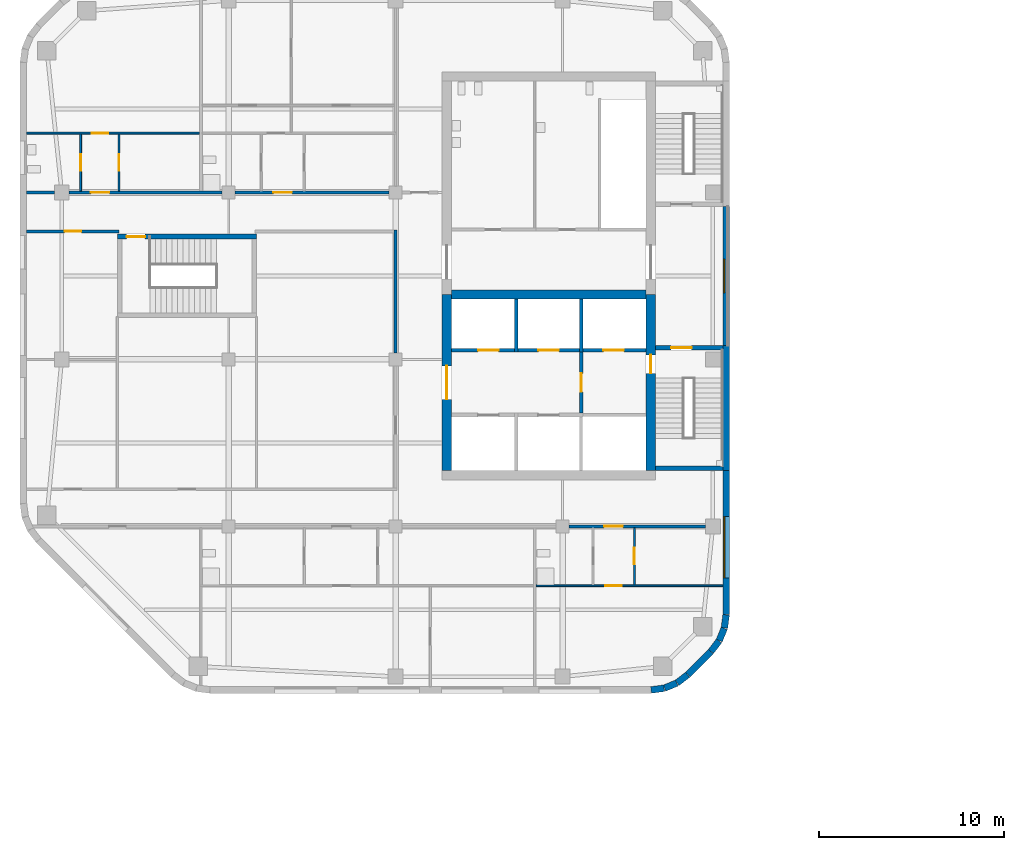
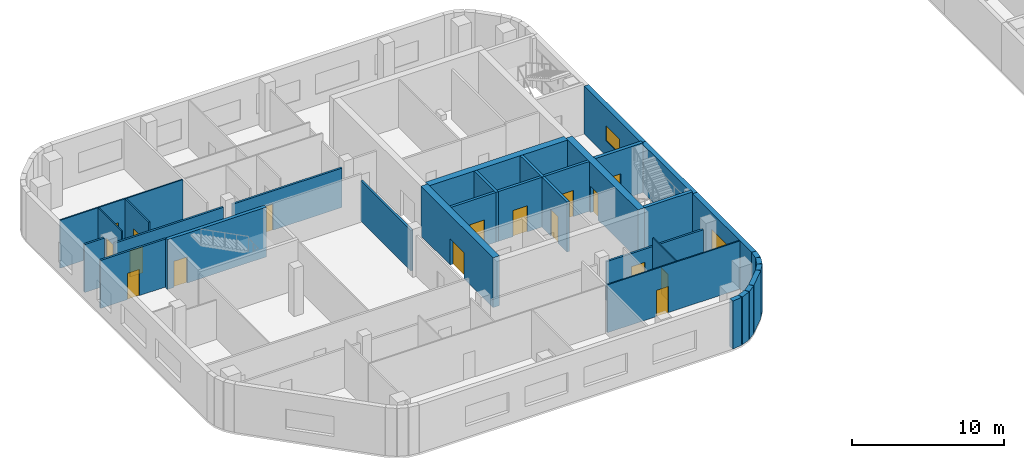
# One storey, part 6 of 16: 33 walls, 17 doors, 2 windows, 19 openings.
"""IFC4 building model written with IfcOpenShell, lengths in metres."""

from ifc_helpers import new_model, si_unit, direction, frame, frame_2d, origin, place, context, subcontext, project, spatial, rectangle, extrude, material, layer, layer_set, type_object, element, fill, save


model = new_model("IFC4")

# Units and contexts
model_context = context("Model", 3, precision=1e-05, world=origin(), true_north=direction((0.0, 1.0)))
body_context = subcontext(model_context, "Body", "Model", "MODEL_VIEW")
ifc_project = project(units=[si_unit("LENGTHUNIT", "METRE"), si_unit("AREAUNIT", "SQUARE_METRE"), si_unit("VOLUMEUNIT", "CUBIC_METRE"), si_unit("PLANEANGLEUNIT", "RADIAN"), si_unit("MASSUNIT", "GRAM", prefix="KILO")], contexts=[model_context])

# Site, building, storey
site_placement = place(None, origin())
site = spatial("IfcSite", under=ifc_project, at=site_placement, CompositionType="ELEMENT")
building_placement = place(site_placement, origin())
building = spatial("IfcBuilding", under=site, at=building_placement, Name="Cinnabar Reach Civic Tower", CompositionType="ELEMENT")
storey_placement = place(building_placement, frame((0.0, 0.0, 83.0)))
storey = spatial("IfcBuildingStorey", under=building, at=storey_placement, Name="L19", CompositionType="ELEMENT", Elevation=83.0)

# Walls
ifc_material_1 = material(Name="Facing brick with insulated backing", Category="masonry")
ifc_layer_1 = layer(ifc_material_1, 0.36)
ifc_layer_set_1 = layer_set([ifc_layer_1], Name="Brick corner wall")
wall_type_1 = type_object("IfcWallType", Name="Brick corner wall", PredefinedType="STANDARD", material=ifc_layer_set_1)
for number, where, z_axis, x_axis, name in (
    (1, (-31.2314, 9.183, 0.0), (0.0, 0.0, 1.0), (0.99144092581, 0.13055608231, 0.0), "Brick corner wall"),
    (2, (-30.5027, 9.2819, 0.0), (0.0, 0.0, 1.0), (0.923871547278, 0.382702709855, 0.0), "Brick corner wall"),
):
    element("IfcWall", number, at=place(storey_placement, frame(where, z_axis=z_axis, x_axis=x_axis)), inside=storey, type_object=wall_type_1, Name=name, PredefinedType="STANDARD", context=body_context, shape_type="SweptSolid", body=[
        extrude(rectangle(XDim=0.7131, YDim=0.36, at=frame_2d((0.3565, 0.0))), origin(), (0.0, 0.0, 1.0), 3.85),
    ])
for number, where, z_axis, x_axis, name in (
    (3, (-29.8245, 9.566, 0.0), (0.0, 0.0, 1.0), (0.793321924995, 0.608802368033, 0.0), "Brick corner wall"),
    (4, (-28.0002, 11.2587, 0.0), (0.0, 0.0, 1.0), (0.608802368033, 0.793321924995, 0.0), "Brick corner wall"),
):
    element("IfcWall", number, at=place(storey_placement, frame(where, z_axis=z_axis, x_axis=x_axis)), inside=storey, type_object=wall_type_1, Name=name, PredefinedType="STANDARD", context=body_context, shape_type="SweptSolid", body=[
        extrude(rectangle(XDim=0.7132, YDim=0.36, at=frame_2d((0.3566, 0.0))), origin(), (0.0, 0.0, 1.0), 3.85),
    ])
for number, where, z_axis, x_axis, name in (
    (5, (-27.5548, 11.8439, 0.0), (0.0, 0.0, 1.0), (0.382702709855, 0.923871547278, 0.0), "Brick corner wall"),
    (6, (-27.2761, 12.5244, 0.0), (0.0, 0.0, 1.0), (0.13055608231, 0.99144092581, 0.0), "Brick corner wall"),
):
    element("IfcWall", number, at=place(storey_placement, frame(where, z_axis=z_axis, x_axis=x_axis)), inside=storey, type_object=wall_type_1, Name=name, PredefinedType="STANDARD", context=body_context, shape_type="SweptSolid", body=[
        extrude(rectangle(XDim=0.7131, YDim=0.36, at=frame_2d((0.3565, 0.0))), origin(), (0.0, 0.0, 1.0), 3.85),
    ])
ifc_layer_2 = layer(ifc_material_1, 0.36)
ifc_layer_set_2 = layer_set([ifc_layer_2], Name="Brick pier and spandrel wall")
wall_type_2 = type_object("IfcWallType", Name="Brick pier and spandrel wall", PredefinedType="STANDARD", material=ifc_layer_set_2)
wall_1_placement = place(storey_placement, frame((-29.2486, 10.006, 0.0), z_axis=(0.0, 0.0, 1.0), x_axis=(0.707106781187, 0.707106781187, 0.0)))
element("IfcWall", 7, at=wall_1_placement, inside=storey, type_object=wall_type_2, Name="Brick facade wall", PredefinedType="STANDARD", context=body_context, shape_type="SweptSolid", body=[
    extrude(rectangle(XDim=1.7573, YDim=0.36, at=frame_2d((0.8787, 0.0))), origin(), (0.0, 0.0, 1.0), 3.85),
])

# Wall, opening, window
wall_2_placement = place(storey_placement, frame((-27.18, 13.2426, 0.0), z_axis=(0.0, 0.0, 1.0), x_axis=(0.0, 1.0, 0.0)))
wall_2 = element("IfcWall", 8, at=wall_2_placement, inside=storey, type_object=wall_type_2, Name="Brick facade wall", PredefinedType="STANDARD", context=body_context, shape_type="SweptSolid", body=[
    extrude(rectangle(XDim=7.7574, YDim=0.36, at=frame_2d((3.8787, 0.0))), origin(), (0.0, 0.0, 1.0), 3.85),
])
opening_1_placement = place(wall_2_placement, frame((1.9824, 0.0, 0.9)))
opening_1 = element("IfcOpeningElement", 9, at=opening_1_placement, cuts=wall_2, Name="Opening W2607", PredefinedType="OPENING", context=body_context, shape_type="SweptSolid", body=[
    extrude(rectangle(XDim=3.3, YDim=1.6, at=frame_2d((1.65, 0.8))), frame((0.0, 0.19, 0.0), z_axis=(0.0, -1.0, 0.0), x_axis=(1.0, 0.0, 0.0)), (0.0, 0.0, 1.0), 0.38),
])
ifc_material_2 = material(Name="Clear double glazing in aluminium frame", Category="aluminium")
window_type_1 = type_object("IfcWindowType", Name="Deep-set window A", PartitioningType="SINGLE_PANEL", PredefinedType="WINDOW", material=ifc_material_2)
window_1_placement = place(opening_1_placement, origin())
window_1 = element("IfcWindow", 10, at=window_1_placement, inside=storey, type_object=window_type_1, Name="Window east face", OverallHeight=1.6, OverallWidth=3.3, PartitioningType="SINGLE_PANEL", PredefinedType="WINDOW", context=body_context, shape_type="SweptSolid", body=[
    extrude(rectangle(XDim=3.3, YDim=1.6, at=frame_2d((1.65, 0.8))), frame((0.0, 0.13, 0.0), z_axis=(0.0, -1.0, 0.0), x_axis=(1.0, 0.0, 0.0)), (0.0, 0.0, 1.0), 0.06),
])
fill(opening_1, window_1)

# Wall
wall_3_placement = place(storey_placement, frame((-27.18, 21.0, 0.0), z_axis=(0.0, 0.0, 1.0), x_axis=(0.0, 1.0, 0.0)))
element("IfcWall", 11, at=wall_3_placement, inside=storey, type_object=wall_type_2, Name="Brick facade wall", PredefinedType="STANDARD", context=body_context, shape_type="SweptSolid", body=[
    extrude(rectangle(XDim=6.75, YDim=0.36, at=frame_2d((3.375, 0.0))), origin(), (0.0, 0.0, 1.0), 3.85),
])

# Wall, opening, window
wall_4_placement = place(storey_placement, frame((-27.18, 27.75, 0.0), z_axis=(0.0, 0.0, 1.0), x_axis=(0.0, 1.0, 0.0)))
wall_4 = element("IfcWall", 12, at=wall_4_placement, inside=storey, type_object=wall_type_2, Name="Brick facade wall", PredefinedType="STANDARD", context=body_context, shape_type="SweptSolid", body=[
    extrude(rectangle(XDim=7.5, YDim=0.36, at=frame_2d((3.75, 0.0))), origin(), (0.0, 0.0, 1.0), 3.85),
])
opening_2_placement = place(wall_4_placement, frame((2.85, 0.0, 1.2)))
opening_2 = element("IfcOpeningElement", 13, at=opening_2_placement, cuts=wall_4, Name="Opening W2608", PredefinedType="OPENING", context=body_context, shape_type="SweptSolid", body=[
    extrude(rectangle(XDim=1.8, YDim=1.2, at=frame_2d((0.9, 0.6))), frame((0.0, 0.19, 0.0), z_axis=(0.0, -1.0, 0.0), x_axis=(1.0, 0.0, 0.0)), (0.0, 0.0, 1.0), 0.38),
])
window_type_2 = type_object("IfcWindowType", Name="Deep-set window C", PartitioningType="SINGLE_PANEL", PredefinedType="WINDOW", material=ifc_material_2)
window_2_placement = place(opening_2_placement, origin())
window_2 = element("IfcWindow", 14, at=window_2_placement, inside=storey, type_object=window_type_2, Name="Window east face", OverallHeight=1.2, OverallWidth=1.8, PartitioningType="SINGLE_PANEL", PredefinedType="WINDOW", context=body_context, shape_type="SweptSolid", body=[
    extrude(rectangle(XDim=1.8, YDim=1.2, at=frame_2d((0.9, 0.6))), frame((0.0, 0.13, 0.0), z_axis=(0.0, -1.0, 0.0), x_axis=(1.0, 0.0, 0.0)), (0.0, 0.0, 1.0), 0.06),
])
fill(opening_2, window_2)

# Wall, opening, door
ifc_material_3 = material(Name="Concrete C60", Category="concrete")
ifc_layer_3 = layer(ifc_material_3, 0.5)
ifc_layer_set_3 = layer_set([ifc_layer_3], Name="Core wall 500 EI 180")
wall_type_3 = type_object("IfcWallType", Name="Core wall 500 EI 180", PredefinedType="SOLIDWALL", material=ifc_layer_set_3)
wall_5_placement = place(storey_placement, frame((-31.25, 21.0, 0.0), z_axis=(0.0, 0.0, 1.0), x_axis=(0.0, 1.0, 0.0)))
wall_5 = element("IfcWall", 15, at=wall_5_placement, inside=storey, type_object=wall_type_3, Name="Core wall T2 L19 E", PredefinedType="SOLIDWALL", context=body_context, shape_type="SweptSolid", body=[
    extrude(rectangle(XDim=9.5, YDim=0.5, at=frame_2d((4.75, 0.0))), origin(), (0.0, 0.0, 1.0), 4.0),
])
opening_3_placement = place(wall_5_placement, frame((5.25, 0.0, 0.0)))
opening_3 = element("IfcOpeningElement", 16, at=opening_3_placement, cuts=wall_5, Name="Opening D6713", PredefinedType="OPENING", context=body_context, shape_type="SweptSolid", body=[
    extrude(rectangle(XDim=1.0, YDim=2.1, at=frame_2d((0.5, 1.05))), frame((0.0, 0.26, 0.0), z_axis=(0.0, -1.0, 0.0), x_axis=(1.0, 0.0, 0.0)), (0.0, 0.0, 1.0), 0.52),
])
ifc_material_4 = material(Name="Steel fire door", Category="steel")
door_type_1 = type_object("IfcDoorType", Name="T2 Firefighting lobby door 1000", OperationType="SINGLE_SWING_LEFT", PredefinedType="DOOR", material=ifc_material_4)
door_1_placement = place(opening_3_placement, frame((1.0, 0.0, 0.0), z_axis=(0.0, 0.0, 1.0), x_axis=(-1.0, 0.0, 0.0)))
door_1 = element("IfcDoor", 17, at=door_1_placement, inside=storey, type_object=door_type_1, Name="T2 Firefighting lobby door D6713", OperationType="SINGLE_SWING_LEFT", OverallHeight=2.1, OverallWidth=1.0, PredefinedType="DOOR", context=body_context, shape_type="SweptSolid", body=[
    extrude(rectangle(XDim=1.0, YDim=2.1, at=frame_2d((0.5, 1.05))), frame((0.0, 0.025, 0.0), z_axis=(0.0, -1.0, 0.0), x_axis=(1.0, 0.0, 0.0)), (0.0, 0.0, 1.0), 0.05),
])
fill(opening_3, door_1)

wall_6_placement = place(storey_placement, frame((-42.25, 30.5, 0.0), z_axis=(0.0, 0.0, 1.0), x_axis=(0.0, -1.0, 0.0)))
wall_6 = element("IfcWall", 18, at=wall_6_placement, inside=storey, type_object=wall_type_3, Name="Core wall T2 L19 W2", PredefinedType="SOLIDWALL", context=body_context, shape_type="SweptSolid", body=[
    extrude(rectangle(XDim=9.5, YDim=0.5, at=frame_2d((4.75, 0.0))), origin(), (0.0, 0.0, 1.0), 4.0),
])
opening_4_placement = place(wall_6_placement, frame((3.85, 0.0, 0.0)))
opening_4 = element("IfcOpeningElement", 19, at=opening_4_placement, cuts=wall_6, Name="Opening D6717", PredefinedType="OPENING", context=body_context, shape_type="SweptSolid", body=[
    extrude(rectangle(XDim=1.8, YDim=2.1, at=frame_2d((0.9, 1.05))), frame((0.0, 0.26, 0.0), z_axis=(0.0, -1.0, 0.0), x_axis=(1.0, 0.0, 0.0)), (0.0, 0.0, 1.0), 0.52),
])
door_type_2 = type_object("IfcDoorType", Name="T2 Double door 1800", OperationType="DOUBLE_DOOR_SINGLE_SWING", PredefinedType="DOOR", material=ifc_material_4)
door_2_placement = place(opening_4_placement, origin())
door_2 = element("IfcDoor", 20, at=door_2_placement, inside=storey, type_object=door_type_2, Name="T2 Double door D6717", OperationType="DOUBLE_DOOR_SINGLE_SWING", OverallHeight=2.1, OverallWidth=1.8, PredefinedType="DOOR", context=body_context, shape_type="SweptSolid", body=[
    extrude(rectangle(XDim=1.8, YDim=2.1, at=frame_2d((0.9, 1.05))), frame((0.0, 0.025, 0.0), z_axis=(0.0, -1.0, 0.0), x_axis=(1.0, 0.0, 0.0)), (0.0, 0.0, 1.0), 0.05),
])
fill(opening_4, door_2)

# Wall
wall_7_placement = place(storey_placement, frame((-42.0, 30.5, 0.0), z_axis=(0.0, 0.0, 1.0), x_axis=(1.0, 0.0, 0.0)))
element("IfcWall", 21, at=wall_7_placement, inside=storey, type_object=wall_type_3, Name="Core spine wall T2 L19", PredefinedType="SOLIDWALL", context=body_context, shape_type="SweptSolid", body=[
    extrude(rectangle(XDim=10.5, YDim=0.5, at=frame_2d((5.25, 0.0))), origin(), (0.0, 0.0, 1.0), 4.0),
])

# Wall, opening, door
ifc_material_5 = material(Name="Gypsum board on steel studs, double layer", Category="steel")
ifc_layer_4 = layer(ifc_material_5, 0.15)
ifc_layer_set_4 = layer_set([ifc_layer_4], Name="Corridor wall 150 T2")
wall_type_4 = type_object("IfcWallType", Name="Corridor wall 150 T2", PredefinedType="PARTITIONING", material=ifc_layer_set_4)
wall_8_placement = place(storey_placement, frame((-35.65, 18.0, 0.0), z_axis=(0.0, 0.0, 1.0), x_axis=(1.0, 0.0, 0.0)))
wall_8 = element("IfcWall", 22, at=wall_8_placement, inside=storey, type_object=wall_type_4, Name="Corridor wall 1", PredefinedType="PARTITIONING", context=body_context, shape_type="SweptSolid", body=[
    extrude(rectangle(XDim=7.35, YDim=0.15, at=frame_2d((3.675, 0.0))), origin(), (0.0, 0.0, 1.0), 3.158),
])
opening_5_placement = place(wall_8_placement, frame((1.8934, 0.0, 0.0)))
opening_5 = element("IfcOpeningElement", 23, at=opening_5_placement, cuts=wall_8, Name="Opening D6731", PredefinedType="OPENING", context=body_context, shape_type="SweptSolid", body=[
    extrude(rectangle(XDim=1.0, YDim=2.1, at=frame_2d((0.5, 1.05))), frame((0.0, 0.085, 0.0), z_axis=(0.0, -1.0, 0.0), x_axis=(1.0, 0.0, 0.0)), (0.0, 0.0, 1.0), 0.17),
])
ifc_material_6 = material(Name="Timber door leaf in steel frame", Category="steel")
door_type_3 = type_object("IfcDoorType", Name="Tenancy entrance door 1000 x 2100 T2", OperationType="SINGLE_SWING_LEFT", PredefinedType="DOOR", material=ifc_material_6)
door_3_placement = place(opening_5_placement, frame((1.0, 0.0, 0.0), z_axis=(0.0, 0.0, 1.0), x_axis=(-1.0, 0.0, 0.0)))
door_3 = element("IfcDoor", 24, at=door_3_placement, inside=storey, type_object=door_type_3, Name="Door D6731", OperationType="SINGLE_SWING_LEFT", OverallHeight=2.1, OverallWidth=1.0, PredefinedType="DOOR", context=body_context, shape_type="SweptSolid", body=[
    extrude(rectangle(XDim=1.0, YDim=2.1, at=frame_2d((0.5, 1.05))), frame((0.0, 0.025, 0.0), z_axis=(0.0, -1.0, 0.0), x_axis=(1.0, 0.0, 0.0)), (0.0, 0.0, 1.0), 0.05),
])
fill(opening_5, door_3)

wall_9_placement = place(storey_placement, frame((-53.65, 36.0, 0.0), z_axis=(0.0, 0.0, 1.0), x_axis=(1.0, 0.0, 0.0)))
wall_9 = element("IfcWall", 25, at=wall_9_placement, inside=storey, type_object=wall_type_4, Name="Corridor wall 6", PredefinedType="PARTITIONING", context=body_context, shape_type="SweptSolid", body=[
    extrude(rectangle(XDim=8.3, YDim=0.15, at=frame_2d((4.15, 0.0))), origin(), (0.0, 0.0, 1.0), 3.158),
])
opening_6_placement = place(wall_9_placement, frame((2.055, 0.0, 0.0)))
opening_6 = element("IfcOpeningElement", 26, at=opening_6_placement, cuts=wall_9, Name="Opening D6742", PredefinedType="OPENING", context=body_context, shape_type="SweptSolid", body=[
    extrude(rectangle(XDim=1.0, YDim=2.1, at=frame_2d((0.5, 1.05))), frame((0.0, 0.085, 0.0), z_axis=(0.0, -1.0, 0.0), x_axis=(1.0, 0.0, 0.0)), (0.0, 0.0, 1.0), 0.17),
])
door_4_placement = place(opening_6_placement, origin())
door_4 = element("IfcDoor", 27, at=door_4_placement, inside=storey, type_object=door_type_3, Name="Door D6742", OperationType="SINGLE_SWING_RIGHT", OverallHeight=2.1, OverallWidth=1.0, PredefinedType="DOOR", context=body_context, shape_type="SweptSolid", body=[
    extrude(rectangle(XDim=1.0, YDim=2.1, at=frame_2d((0.5, 1.05))), frame((0.0, 0.025, 0.0), z_axis=(0.0, -1.0, 0.0), x_axis=(1.0, 0.0, 0.0)), (0.0, 0.0, 1.0), 0.05),
])
fill(opening_6, door_4)

wall_10_placement = place(storey_placement, frame((-62.6, 36.0, 0.0), z_axis=(0.0, 0.0, 1.0), x_axis=(1.0, 0.0, 0.0)))
wall_10 = element("IfcWall", 28, at=wall_10_placement, inside=storey, type_object=wall_type_4, Name="Corridor wall 7", PredefinedType="PARTITIONING", context=body_context, shape_type="SweptSolid", body=[
    extrude(rectangle(XDim=8.25, YDim=0.15, at=frame_2d((4.125, 0.0))), origin(), (0.0, 0.0, 1.0), 3.158),
])
opening_7_placement = place(wall_10_placement, frame((1.1709, 0.0, 0.0)))
opening_7 = element("IfcOpeningElement", 29, at=opening_7_placement, cuts=wall_10, Name="Opening D6735", PredefinedType="OPENING", context=body_context, shape_type="SweptSolid", body=[
    extrude(rectangle(XDim=1.0, YDim=2.1, at=frame_2d((0.5, 1.05))), frame((0.0, 0.085, 0.0), z_axis=(0.0, -1.0, 0.0), x_axis=(1.0, 0.0, 0.0)), (0.0, 0.0, 1.0), 0.17),
])
door_5_placement = place(opening_7_placement, origin())
door_5 = element("IfcDoor", 30, at=door_5_placement, inside=storey, type_object=door_type_3, Name="Door D6735", OperationType="SINGLE_SWING_RIGHT", OverallHeight=2.1, OverallWidth=1.0, PredefinedType="DOOR", context=body_context, shape_type="SweptSolid", body=[
    extrude(rectangle(XDim=1.0, YDim=2.1, at=frame_2d((0.5, 1.05))), frame((0.0, 0.025, 0.0), z_axis=(0.0, -1.0, 0.0), x_axis=(1.0, 0.0, 0.0)), (0.0, 0.0, 1.0), 0.05),
])
fill(opening_7, door_5)

# Walls
wall_11_placement = place(storey_placement, frame((-64.89, 36.0, 0.0), z_axis=(0.0, 0.0, 1.0), x_axis=(1.0, 0.0, 0.0)))
element("IfcWall", 31, at=wall_11_placement, inside=storey, type_object=wall_type_4, Name="Corridor wall 8", PredefinedType="PARTITIONING", context=body_context, shape_type="SweptSolid", body=[
    extrude(rectangle(XDim=1.49, YDim=0.15, at=frame_2d((0.745, 0.0))), origin(), (0.0, 0.0, 1.0), 3.85),
])
wall_12_placement = place(storey_placement, frame((-45.0, 27.35, 0.0), z_axis=(0.0, 0.0, 1.0), x_axis=(0.0, 1.0, 0.0)))
element("IfcWall", 32, at=wall_12_placement, inside=storey, type_object=wall_type_4, Name="Corridor wall 11", PredefinedType="PARTITIONING", context=body_context, shape_type="SweptSolid", body=[
    extrude(rectangle(XDim=6.625, YDim=0.15, at=frame_2d((3.3125, 0.0))), origin(), (0.0, 0.0, 1.0), 3.256),
])

# Wall, opening, door
wall_13_placement = place(storey_placement, frame((-64.89, 33.9, 0.0), z_axis=(0.0, 0.0, 1.0), x_axis=(1.0, 0.0, 0.0)))
wall_13 = element("IfcWall", 33, at=wall_13_placement, inside=storey, type_object=wall_type_4, Name="Corridor wall 13", PredefinedType="PARTITIONING", context=body_context, shape_type="SweptSolid", body=[
    extrude(rectangle(XDim=4.965, YDim=0.15, at=frame_2d((2.4825, 0.0))), origin(), (0.0, 0.0, 1.0), 3.85),
])
opening_8_placement = place(wall_13_placement, frame((2.05, 0.0, 0.0)))
opening_8 = element("IfcOpeningElement", 34, at=opening_8_placement, cuts=wall_13, Name="Opening D6744", PredefinedType="OPENING", context=body_context, shape_type="SweptSolid", body=[
    extrude(rectangle(XDim=0.9, YDim=2.1, at=frame_2d((0.45, 1.05))), frame((0.0, 0.085, 0.0), z_axis=(0.0, -1.0, 0.0), x_axis=(1.0, 0.0, 0.0)), (0.0, 0.0, 1.0), 0.17),
])
door_type_4 = type_object("IfcDoorType", Name="Single swing door 900 x 2100 T2", OperationType="SINGLE_SWING_LEFT", PredefinedType="DOOR", material=ifc_material_6)
door_6_placement = place(opening_8_placement, frame((0.9, 0.0, 0.0), z_axis=(0.0, 0.0, 1.0), x_axis=(-1.0, 0.0, 0.0)))
door_6 = element("IfcDoor", 35, at=door_6_placement, inside=storey, type_object=door_type_4, Name="Door D6744", OperationType="SINGLE_SWING_LEFT", OverallHeight=2.1, OverallWidth=0.9, PredefinedType="DOOR", context=body_context, shape_type="SweptSolid", body=[
    extrude(rectangle(XDim=0.9, YDim=2.1, at=frame_2d((0.45, 1.05))), frame((0.0, 0.025, 0.0), z_axis=(0.0, -1.0, 0.0), x_axis=(1.0, 0.0, 0.0)), (0.0, 0.0, 1.0), 0.05),
])
fill(opening_8, door_6)

ifc_material_7 = material(Name="Gypsum board on steel studs", Category="steel")
ifc_layer_5 = layer(ifc_material_7, 0.1)
ifc_layer_set_5 = layer_set([ifc_layer_5], Name="Partition wall 100 T2")
wall_type_5 = type_object("IfcWallType", Name="Partition wall 100 T2", PredefinedType="PARTITIONING", material=ifc_layer_set_5)
wall_14_placement = place(storey_placement, frame((-37.425, 14.8, 0.0), z_axis=(0.0, 0.0, 1.0), x_axis=(1.0, 0.0, 0.0)))
wall_14 = element("IfcWall", 36, at=wall_14_placement, inside=storey, type_object=wall_type_5, Name="Partition wall 17", PredefinedType="PARTITIONING", context=body_context, shape_type="SweptSolid", body=[
    extrude(rectangle(XDim=10.065, YDim=0.1, at=frame_2d((5.0325, 0.0))), origin(), (0.0, 0.0, 1.0), 3.85),
])
opening_9_placement = place(wall_14_placement, frame((3.7184, 0.0, 0.0)))
opening_9 = element("IfcOpeningElement", 37, at=opening_9_placement, cuts=wall_14, Name="Opening D6730", PredefinedType="OPENING", context=body_context, shape_type="SweptSolid", body=[
    extrude(rectangle(XDim=0.9, YDim=2.1, at=frame_2d((0.45, 1.05))), frame((0.0, 0.06, 0.0), z_axis=(0.0, -1.0, 0.0), x_axis=(1.0, 0.0, 0.0)), (0.0, 0.0, 1.0), 0.12),
])
door_7_placement = place(opening_9_placement, origin())
door_7 = element("IfcDoor", 38, at=door_7_placement, inside=storey, type_object=door_type_4, Name="Door D6730", OperationType="SINGLE_SWING_RIGHT", OverallHeight=2.1, OverallWidth=0.9, PredefinedType="DOOR", context=body_context, shape_type="SweptSolid", body=[
    extrude(rectangle(XDim=0.9, YDim=2.1, at=frame_2d((0.45, 1.05))), frame((0.0, 0.025, 0.0), z_axis=(0.0, -1.0, 0.0), x_axis=(1.0, 0.0, 0.0)), (0.0, 0.0, 1.0), 0.05),
])
fill(opening_9, door_7)

wall_15_placement = place(storey_placement, frame((-64.89, 39.2, 0.0), z_axis=(0.0, 0.0, 1.0), x_axis=(1.0, 0.0, 0.0)))
wall_15 = element("IfcWall", 39, at=wall_15_placement, inside=storey, type_object=wall_type_5, Name="Partition wall 19", PredefinedType="PARTITIONING", context=body_context, shape_type="SweptSolid", body=[
    extrude(rectangle(XDim=9.315, YDim=0.1, at=frame_2d((4.6575, 0.0))), origin(), (0.0, 0.0, 1.0), 3.85),
])
opening_10_placement = place(wall_15_placement, frame((3.5109, 0.0, 0.0)))
opening_10 = element("IfcOpeningElement", 40, at=opening_10_placement, cuts=wall_15, Name="Opening D6734", PredefinedType="OPENING", context=body_context, shape_type="SweptSolid", body=[
    extrude(rectangle(XDim=0.9, YDim=2.1, at=frame_2d((0.45, 1.05))), frame((0.0, 0.06, 0.0), z_axis=(0.0, -1.0, 0.0), x_axis=(1.0, 0.0, 0.0)), (0.0, 0.0, 1.0), 0.12),
])
door_8_placement = place(opening_10_placement, frame((0.9, 0.0, 0.0), z_axis=(0.0, 0.0, 1.0), x_axis=(-1.0, 0.0, 0.0)))
door_8 = element("IfcDoor", 41, at=door_8_placement, inside=storey, type_object=door_type_4, Name="Door D6734", OperationType="SINGLE_SWING_LEFT", OverallHeight=2.1, OverallWidth=0.9, PredefinedType="DOOR", context=body_context, shape_type="SweptSolid", body=[
    extrude(rectangle(XDim=0.9, YDim=2.1, at=frame_2d((0.45, 1.05))), frame((0.0, 0.025, 0.0), z_axis=(0.0, -1.0, 0.0), x_axis=(1.0, 0.0, 0.0)), (0.0, 0.0, 1.0), 0.05),
])
fill(opening_10, door_8)

wall_16_placement = place(storey_placement, frame((-61.9791, 36.075, 0.0), z_axis=(0.0, 0.0, 1.0), x_axis=(0.0, 1.0, 0.0)))
wall_16 = element("IfcWall", 42, at=wall_16_placement, inside=storey, type_object=wall_type_5, Name="Partition wall 33", PredefinedType="PARTITIONING", context=body_context, shape_type="SweptSolid", body=[
    extrude(rectangle(XDim=3.075, YDim=0.1, at=frame_2d((1.5375, 0.0))), origin(), (0.0, 0.0, 1.0), 3.85),
])
opening_11_placement = place(wall_16_placement, frame((1.1, 0.0, 0.0)))
opening_11 = element("IfcOpeningElement", 43, at=opening_11_placement, cuts=wall_16, Name="Opening D6732", PredefinedType="OPENING", context=body_context, shape_type="SweptSolid", body=[
    extrude(rectangle(XDim=0.9, YDim=2.1, at=frame_2d((0.45, 1.05))), frame((0.0, 0.06, 0.0), z_axis=(0.0, -1.0, 0.0), x_axis=(1.0, 0.0, 0.0)), (0.0, 0.0, 1.0), 0.12),
])
door_9_placement = place(opening_11_placement, origin())
door_9 = element("IfcDoor", 44, at=door_9_placement, inside=storey, type_object=door_type_4, Name="Door D6732", OperationType="SINGLE_SWING_LEFT", OverallHeight=2.1, OverallWidth=0.9, PredefinedType="DOOR", context=body_context, shape_type="SweptSolid", body=[
    extrude(rectangle(XDim=0.9, YDim=2.1, at=frame_2d((0.45, 1.05))), frame((0.0, 0.025, 0.0), z_axis=(0.0, -1.0, 0.0), x_axis=(1.0, 0.0, 0.0)), (0.0, 0.0, 1.0), 0.05),
])
fill(opening_11, door_9)

wall_17_placement = place(storey_placement, frame((-59.9133, 36.075, 0.0), z_axis=(0.0, 0.0, 1.0), x_axis=(0.0, 1.0, 0.0)))
wall_17 = element("IfcWall", 45, at=wall_17_placement, inside=storey, type_object=wall_type_5, Name="Partition wall 34", PredefinedType="PARTITIONING", context=body_context, shape_type="SweptSolid", body=[
    extrude(rectangle(XDim=3.075, YDim=0.1, at=frame_2d((1.5375, 0.0))), origin(), (0.0, 0.0, 1.0), 3.85),
])
opening_12_placement = place(wall_17_placement, frame((1.1, 0.0, 0.0)))
opening_12 = element("IfcOpeningElement", 46, at=opening_12_placement, cuts=wall_17, Name="Opening D6733", PredefinedType="OPENING", context=body_context, shape_type="SweptSolid", body=[
    extrude(rectangle(XDim=0.9, YDim=2.1, at=frame_2d((0.45, 1.05))), frame((0.0, 0.06, 0.0), z_axis=(0.0, -1.0, 0.0), x_axis=(1.0, 0.0, 0.0)), (0.0, 0.0, 1.0), 0.12),
])
door_10_placement = place(opening_12_placement, origin())
door_10 = element("IfcDoor", 47, at=door_10_placement, inside=storey, type_object=door_type_4, Name="Door D6733", OperationType="SINGLE_SWING_RIGHT", OverallHeight=2.1, OverallWidth=0.9, PredefinedType="DOOR", context=body_context, shape_type="SweptSolid", body=[
    extrude(rectangle(XDim=0.9, YDim=2.1, at=frame_2d((0.45, 1.05))), frame((0.0, 0.025, 0.0), z_axis=(0.0, -1.0, 0.0), x_axis=(1.0, 0.0, 0.0)), (0.0, 0.0, 1.0), 0.05),
])
fill(opening_12, door_10)

wall_18_placement = place(storey_placement, frame((-32.1258, 14.85, 0.0), z_axis=(0.0, 0.0, 1.0), x_axis=(0.0, 1.0, 0.0)))
wall_18 = element("IfcWall", 48, at=wall_18_placement, inside=storey, type_object=wall_type_5, Name="Partition wall 40", PredefinedType="PARTITIONING", context=body_context, shape_type="SweptSolid", body=[
    extrude(rectangle(XDim=3.075, YDim=0.1, at=frame_2d((1.5375, 0.0))), origin(), (0.0, 0.0, 1.0), 3.85),
])
opening_13_placement = place(wall_18_placement, frame((1.1, 0.0, 0.0)))
opening_13 = element("IfcOpeningElement", 49, at=opening_13_placement, cuts=wall_18, Name="Opening D6729", PredefinedType="OPENING", context=body_context, shape_type="SweptSolid", body=[
    extrude(rectangle(XDim=0.9, YDim=2.1, at=frame_2d((0.45, 1.05))), frame((0.0, 0.06, 0.0), z_axis=(0.0, -1.0, 0.0), x_axis=(1.0, 0.0, 0.0)), (0.0, 0.0, 1.0), 0.12),
])
door_11_placement = place(opening_13_placement, origin())
door_11 = element("IfcDoor", 50, at=door_11_placement, inside=storey, type_object=door_type_4, Name="Door D6729", OperationType="SINGLE_SWING_LEFT", OverallHeight=2.1, OverallWidth=0.9, PredefinedType="DOOR", context=body_context, shape_type="SweptSolid", body=[
    extrude(rectangle(XDim=0.9, YDim=2.1, at=frame_2d((0.45, 1.05))), frame((0.0, 0.025, 0.0), z_axis=(0.0, -1.0, 0.0), x_axis=(1.0, 0.0, 0.0)), (0.0, 0.0, 1.0), 0.05),
])
fill(opening_13, door_11)

# Wall
ifc_layer_6 = layer(ifc_material_3, 0.25)
ifc_layer_set_6 = layer_set([ifc_layer_6], Name="Stair shaft wall 250 EI 120")
wall_type_6 = type_object("IfcWallType", Name="Stair shaft wall 250 EI 120", PredefinedType="SOLIDWALL", material=ifc_layer_set_6)
wall_19_placement = place(storey_placement, frame((-31.0, 21.125, 0.0), z_axis=(0.0, 0.0, 1.0), x_axis=(1.0, 0.0, 0.0)))
element("IfcWall", 51, at=wall_19_placement, inside=storey, type_object=wall_type_6, Name="Stair shaft wall T2-S1 L19", PredefinedType="SOLIDWALL", context=body_context, shape_type="SweptSolid", body=[
    extrude(rectangle(XDim=3.64, YDim=0.25, at=frame_2d((1.82, 0.0))), origin(), (0.0, 0.0, 1.0), 4.0),
])

# Wall, opening, door
wall_20_placement = place(storey_placement, frame((-27.36, 27.625, 0.0), z_axis=(0.0, 0.0, 1.0), x_axis=(-1.0, 0.0, 0.0)))
wall_20 = element("IfcWall", 52, at=wall_20_placement, inside=storey, type_object=wall_type_6, Name="Stair shaft wall T2-S1 L19", PredefinedType="SOLIDWALL", context=body_context, shape_type="SweptSolid", body=[
    extrude(rectangle(XDim=3.64, YDim=0.25, at=frame_2d((1.82, 0.0))), origin(), (0.0, 0.0, 1.0), 4.0),
])
opening_14_placement = place(wall_20_placement, frame((1.69, 0.0, 0.0)))
opening_14 = element("IfcOpeningElement", 53, at=opening_14_placement, cuts=wall_20, Name="Opening D6714", PredefinedType="OPENING", context=body_context, shape_type="SweptSolid", body=[
    extrude(rectangle(XDim=1.1, YDim=2.1, at=frame_2d((0.55, 1.05))), frame((0.0, 0.135, 0.0), z_axis=(0.0, -1.0, 0.0), x_axis=(1.0, 0.0, 0.0)), (0.0, 0.0, 1.0), 0.27),
])
door_type_5 = type_object("IfcDoorType", Name="T2 Stair door 1100", OperationType="SINGLE_SWING_LEFT", PredefinedType="DOOR", material=ifc_material_4)
door_12_placement = place(opening_14_placement, origin())
door_12 = element("IfcDoor", 54, at=door_12_placement, inside=storey, type_object=door_type_5, Name="T2 Stair door D6714", OperationType="SINGLE_SWING_LEFT", OverallHeight=2.1, OverallWidth=1.1, PredefinedType="DOOR", context=body_context, shape_type="SweptSolid", body=[
    extrude(rectangle(XDim=1.1, YDim=2.1, at=frame_2d((0.55, 1.05))), frame((0.0, 0.025, 0.0), z_axis=(0.0, -1.0, 0.0), x_axis=(1.0, 0.0, 0.0)), (0.0, 0.0, 1.0), 0.05),
])
fill(opening_14, door_12)

wall_21_placement = place(storey_placement, frame((-52.5, 33.625, 0.0), z_axis=(0.0, 0.0, 1.0), x_axis=(-1.0, 0.0, 0.0)))
wall_21 = element("IfcWall", 55, at=wall_21_placement, inside=storey, type_object=wall_type_6, Name="Stair shaft wall T2-S3 L19", PredefinedType="SOLIDWALL", context=body_context, shape_type="SweptSolid", body=[
    extrude(rectangle(XDim=7.5, YDim=0.25, at=frame_2d((3.75, 0.0))), origin(), (0.0, 0.0, 1.0), 4.0),
])
opening_15_placement = place(wall_21_placement, frame((6.0, 0.0, 0.0)))
opening_15 = element("IfcOpeningElement", 56, at=opening_15_placement, cuts=wall_21, Name="Opening D6747", PredefinedType="OPENING", context=body_context, shape_type="SweptSolid", body=[
    extrude(rectangle(XDim=1.0, YDim=2.1, at=frame_2d((0.5, 1.05))), frame((0.0, 0.135, 0.0), z_axis=(0.0, -1.0, 0.0), x_axis=(1.0, 0.0, 0.0)), (0.0, 0.0, 1.0), 0.27),
])
door_type_6 = type_object("IfcDoorType", Name="Stair door 1000 x 2100 T2", OperationType="SINGLE_SWING_LEFT", PredefinedType="DOOR", material=ifc_material_6)
door_13_placement = place(opening_15_placement, origin())
door_13 = element("IfcDoor", 57, at=door_13_placement, inside=storey, type_object=door_type_6, Name="Door D6747", OperationType="SINGLE_SWING_RIGHT", OverallHeight=2.1, OverallWidth=1.0, PredefinedType="DOOR", context=body_context, shape_type="SweptSolid", body=[
    extrude(rectangle(XDim=1.0, YDim=2.1, at=frame_2d((0.5, 1.05))), frame((0.0, 0.025, 0.0), z_axis=(0.0, -1.0, 0.0), x_axis=(1.0, 0.0, 0.0)), (0.0, 0.0, 1.0), 0.05),
])
fill(opening_15, door_13)

# Wall
ifc_material_8 = material(Name="Concrete C40", Category="concrete")
ifc_layer_7 = layer(ifc_material_8, 0.2)
ifc_layer_set_7 = layer_set([ifc_layer_7], Name="T2 Shaft wall 200")
wall_type_7 = type_object("IfcWallType", Name="T2 Shaft wall 200", PredefinedType="SOLIDWALL", material=ifc_layer_set_7)
wall_22_placement = place(storey_placement, frame((-38.5, 27.4, 0.0), z_axis=(0.0, 0.0, 1.0), x_axis=(0.0, 1.0, 0.0)))
element("IfcWall", 58, at=wall_22_placement, inside=storey, type_object=wall_type_7, Name="T2 Shaft wall L19 004", PredefinedType="SOLIDWALL", context=body_context, shape_type="SweptSolid", body=[
    extrude(rectangle(XDim=2.85, YDim=0.2, at=frame_2d((1.425, 0.0))), origin(), (0.0, 0.0, 1.0), 4.0),
])

# Wall, opening, door
wall_23_placement = place(storey_placement, frame((-42.0, 27.5, 0.0), z_axis=(0.0, 0.0, 1.0), x_axis=(1.0, 0.0, 0.0)))
wall_23 = element("IfcWall", 59, at=wall_23_placement, inside=storey, type_object=wall_type_7, Name="T2 Shaft wall L19 005", PredefinedType="SOLIDWALL", context=body_context, shape_type="SweptSolid", body=[
    extrude(rectangle(XDim=3.4, YDim=0.2, at=frame_2d((1.7, 0.0))), origin(), (0.0, 0.0, 1.0), 4.0),
])
opening_16_placement = place(wall_23_placement, frame((1.45, 0.0, 0.0)))
opening_16 = element("IfcOpeningElement", 60, at=opening_16_placement, cuts=wall_23, Name="Opening D6709", PredefinedType="OPENING", context=body_context, shape_type="SweptSolid", body=[
    extrude(rectangle(XDim=1.1, YDim=2.1, at=frame_2d((0.55, 1.05))), frame((0.0, 0.11, 0.0), z_axis=(0.0, -1.0, 0.0), x_axis=(1.0, 0.0, 0.0)), (0.0, 0.0, 1.0), 0.22),
])
door_type_7 = type_object("IfcDoorType", Name="T2 Lift landing door 1100", OperationType="SLIDING_TO_LEFT", PredefinedType="DOOR", material=ifc_material_4)
door_14_placement = place(opening_16_placement, origin())
door_14 = element("IfcDoor", 61, at=door_14_placement, inside=storey, type_object=door_type_7, Name="T2 Lift landing door D6709", OperationType="SLIDING_TO_LEFT", OverallHeight=2.1, OverallWidth=1.1, PredefinedType="DOOR", context=body_context, shape_type="SweptSolid", body=[
    extrude(rectangle(XDim=1.1, YDim=2.1, at=frame_2d((0.55, 1.05))), frame((0.0, 0.025, 0.0), z_axis=(0.0, -1.0, 0.0), x_axis=(1.0, 0.0, 0.0)), (0.0, 0.0, 1.0), 0.05),
])
fill(opening_16, door_14)

# Wall
wall_24_placement = place(storey_placement, frame((-35.0, 27.4, 0.0), z_axis=(0.0, 0.0, 1.0), x_axis=(0.0, 1.0, 0.0)))
element("IfcWall", 62, at=wall_24_placement, inside=storey, type_object=wall_type_7, Name="T2 Shaft wall L19 006", PredefinedType="SOLIDWALL", context=body_context, shape_type="SweptSolid", body=[
    extrude(rectangle(XDim=2.85, YDim=0.2, at=frame_2d((1.425, 0.0))), origin(), (0.0, 0.0, 1.0), 4.0),
])

# Wall, opening, door
wall_25_placement = place(storey_placement, frame((-38.4, 27.5, 0.0), z_axis=(0.0, 0.0, 1.0), x_axis=(1.0, 0.0, 0.0)))
wall_25 = element("IfcWall", 63, at=wall_25_placement, inside=storey, type_object=wall_type_7, Name="T2 Shaft wall L19 007", PredefinedType="SOLIDWALL", context=body_context, shape_type="SweptSolid", body=[
    extrude(rectangle(XDim=3.3, YDim=0.2, at=frame_2d((1.65, 0.0))), origin(), (0.0, 0.0, 1.0), 4.0),
])
opening_17_placement = place(wall_25_placement, frame((1.1, 0.0, 0.0)))
opening_17 = element("IfcOpeningElement", 64, at=opening_17_placement, cuts=wall_25, Name="Opening D6710", PredefinedType="OPENING", context=body_context, shape_type="SweptSolid", body=[
    extrude(rectangle(XDim=1.1, YDim=2.1, at=frame_2d((0.55, 1.05))), frame((0.0, 0.11, 0.0), z_axis=(0.0, -1.0, 0.0), x_axis=(1.0, 0.0, 0.0)), (0.0, 0.0, 1.0), 0.22),
])
door_15_placement = place(opening_17_placement, origin())
door_15 = element("IfcDoor", 65, at=door_15_placement, inside=storey, type_object=door_type_7, Name="T2 Lift landing door D6710", OperationType="SLIDING_TO_LEFT", OverallHeight=2.1, OverallWidth=1.1, PredefinedType="DOOR", context=body_context, shape_type="SweptSolid", body=[
    extrude(rectangle(XDim=1.1, YDim=2.1, at=frame_2d((0.55, 1.05))), frame((0.0, 0.025, 0.0), z_axis=(0.0, -1.0, 0.0), x_axis=(1.0, 0.0, 0.0)), (0.0, 0.0, 1.0), 0.05),
])
fill(opening_17, door_15)

wall_26_placement = place(storey_placement, frame((-34.9, 27.5, 0.0), z_axis=(0.0, 0.0, 1.0), x_axis=(1.0, 0.0, 0.0)))
wall_26 = element("IfcWall", 66, at=wall_26_placement, inside=storey, type_object=wall_type_7, Name="T2 Shaft wall L19 008", PredefinedType="SOLIDWALL", context=body_context, shape_type="SweptSolid", body=[
    extrude(rectangle(XDim=3.4, YDim=0.2, at=frame_2d((1.7, 0.0))), origin(), (0.0, 0.0, 1.0), 4.0),
])
opening_18_placement = place(wall_26_placement, frame((1.1, 0.0, 0.0)))
opening_18 = element("IfcOpeningElement", 67, at=opening_18_placement, cuts=wall_26, Name="Opening D6711", PredefinedType="OPENING", context=body_context, shape_type="SweptSolid", body=[
    extrude(rectangle(XDim=1.1, YDim=2.1, at=frame_2d((0.55, 1.05))), frame((0.0, 0.11, 0.0), z_axis=(0.0, -1.0, 0.0), x_axis=(1.0, 0.0, 0.0)), (0.0, 0.0, 1.0), 0.22),
])
door_type_8 = type_object("IfcDoorType", Name="T2 Firefighting lift landing door 1100", OperationType="SLIDING_TO_LEFT", PredefinedType="DOOR", material=ifc_material_4)
door_16_placement = place(opening_18_placement, origin())
door_16 = element("IfcDoor", 68, at=door_16_placement, inside=storey, type_object=door_type_8, Name="T2 Firefighting lift landing door D6711", OperationType="SLIDING_TO_LEFT", OverallHeight=2.1, OverallWidth=1.1, PredefinedType="DOOR", context=body_context, shape_type="SweptSolid", body=[
    extrude(rectangle(XDim=1.1, YDim=2.1, at=frame_2d((0.55, 1.05))), frame((0.0, 0.025, 0.0), z_axis=(0.0, -1.0, 0.0), x_axis=(1.0, 0.0, 0.0)), (0.0, 0.0, 1.0), 0.05),
])
fill(opening_18, door_16)

wall_27_placement = place(storey_placement, frame((-35.0, 24.1, 0.0), z_axis=(0.0, 0.0, 1.0), x_axis=(0.0, 1.0, 0.0)))
wall_27 = element("IfcWall", 69, at=wall_27_placement, inside=storey, type_object=wall_type_7, Name="T2 Shaft wall L19 009", PredefinedType="SOLIDWALL", context=body_context, shape_type="SweptSolid", body=[
    extrude(rectangle(XDim=3.3, YDim=0.2, at=frame_2d((1.65, 0.0))), origin(), (0.0, 0.0, 1.0), 4.0),
])
opening_19_placement = place(wall_27_placement, frame((1.15, 0.0, 0.0)))
opening_19 = element("IfcOpeningElement", 70, at=opening_19_placement, cuts=wall_27, Name="Opening D6712", PredefinedType="OPENING", context=body_context, shape_type="SweptSolid", body=[
    extrude(rectangle(XDim=1.0, YDim=2.1, at=frame_2d((0.5, 1.05))), frame((0.0, 0.11, 0.0), z_axis=(0.0, -1.0, 0.0), x_axis=(1.0, 0.0, 0.0)), (0.0, 0.0, 1.0), 0.22),
])
door_17_placement = place(opening_19_placement, origin())
door_17 = element("IfcDoor", 71, at=door_17_placement, inside=storey, type_object=door_type_1, Name="T2 Firefighting lobby door D6712", OperationType="SINGLE_SWING_RIGHT", OverallHeight=2.1, OverallWidth=1.0, PredefinedType="DOOR", context=body_context, shape_type="SweptSolid", body=[
    extrude(rectangle(XDim=1.0, YDim=2.1, at=frame_2d((0.5, 1.05))), frame((0.0, 0.025, 0.0), z_axis=(0.0, -1.0, 0.0), x_axis=(1.0, 0.0, 0.0)), (0.0, 0.0, 1.0), 0.05),
])
fill(opening_19, door_17)

save(model, "model.ifc")
